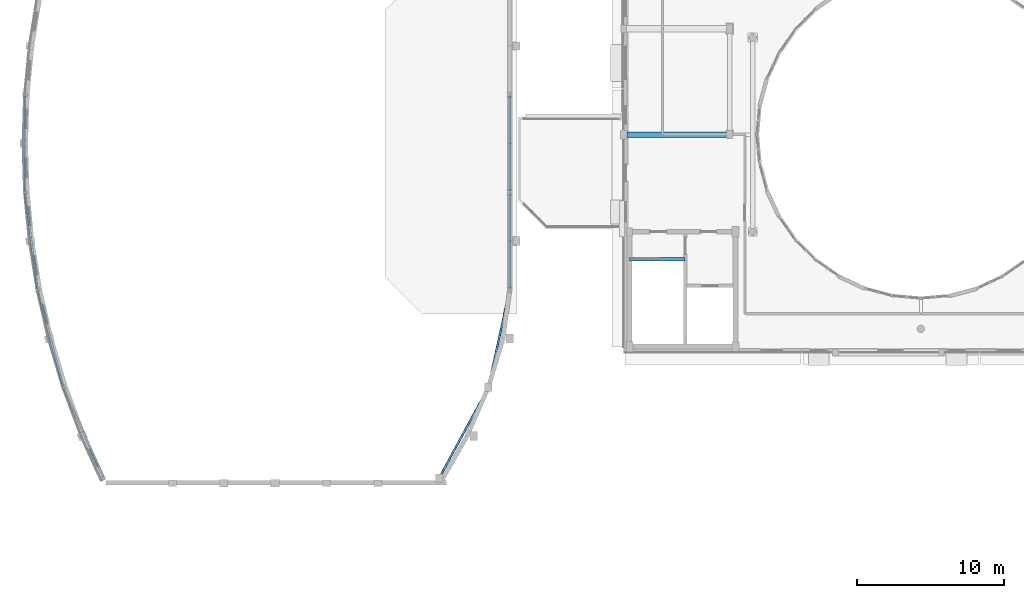
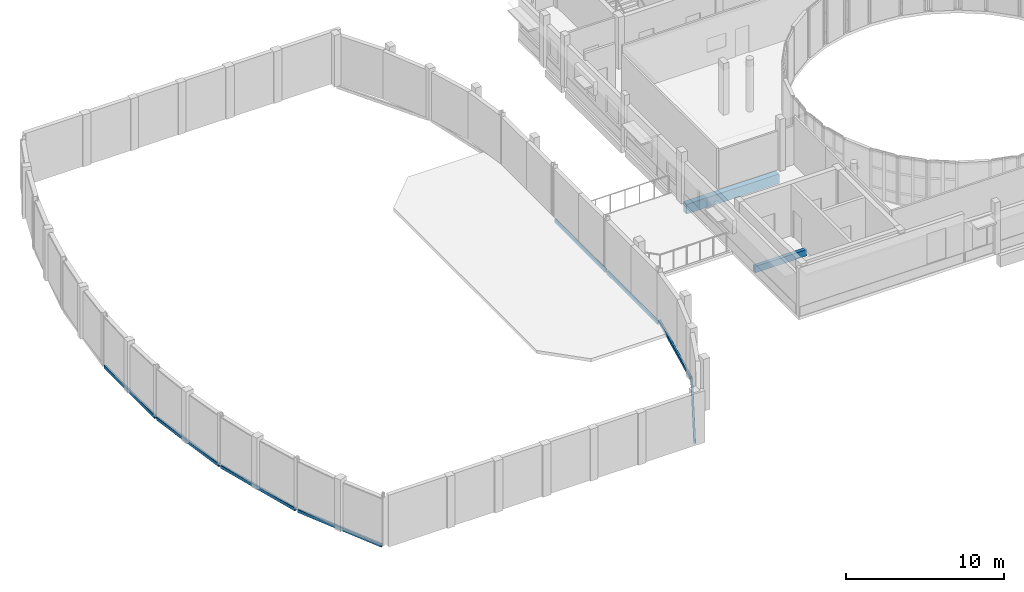
# One storey, part 15 of 89: 10 beams.
"""IFC4 building model written with IfcOpenShell, lengths in metres."""

from ifc_helpers import new_model, si_unit, direction, frame, origin, origin_2d, place, context, subcontext, project, spatial, rectangle, hollow_rectangle, extrude, material, material_profile, profile_set, type_object, element, save


model = new_model("IFC4")

# Units and contexts
model_context = context("Model", 3, precision=1e-05, world=origin(), true_north=direction((0.0, 1.0)))
body_context = subcontext(model_context, "Body", "Model", "MODEL_VIEW")
ifc_project = project(units=[si_unit("LENGTHUNIT", "METRE"), si_unit("AREAUNIT", "SQUARE_METRE"), si_unit("VOLUMEUNIT", "CUBIC_METRE"), si_unit("PLANEANGLEUNIT", "RADIAN"), si_unit("MASSUNIT", "GRAM", prefix="KILO")], contexts=[model_context])

# Site, building, storey
site_placement = place(None, origin())
site = spatial("IfcSite", under=ifc_project, at=site_placement, CompositionType="ELEMENT")
building_placement = place(site_placement, origin())
building = spatial("IfcBuilding", under=site, at=building_placement, Name="Kelanivale Promenade Academy", CompositionType="ELEMENT")
storey_placement = place(building_placement, frame((0.0, 0.0, 12.199951171875)))
storey = spatial("IfcBuildingStorey", under=building, at=storey_placement, Name="L03", CompositionType="ELEMENT", Elevation=12.199951171875)

# Beams
ifc_material_1 = material(Name="Concrete C35/45", Category="concrete")
ifc_material_profile_1 = material_profile(ifc_material_1, rectangle(XDim=0.39990234375, YDim=0.75, at=origin_2d()), Name="RC-BM 400x750")
ifc_profile_set_1 = profile_set([ifc_material_profile_1], Name="Concrete C35/45")
beam_type_1 = type_object("IfcBeamType", Name="BM-13 RC-BM 400x750", PredefinedType="BEAM", material=ifc_profile_set_1)
beam_1_placement = place(storey_placement, frame((43.419921875, 56.800048828125, -0.594970703125), z_axis=(1.0, 0.0, 0.0), x_axis=(0.0, 1.0, 0.0)))
element("IfcBeam", 1, at=beam_1_placement, inside=storey, type_object=beam_type_1, Name="L03 girder BM-13", PredefinedType="BEAM", context=body_context, shape_type="SweptSolid", body=[
    extrude(rectangle(XDim=0.39990234375, YDim=0.75, at=origin_2d()), origin(), (0.0, 0.0, 1.0), 6.78515625),
])
ifc_material_profile_2 = material_profile(ifc_material_1, rectangle(XDim=0.25, YDim=0.5, at=origin_2d()), Name="RC-BM 250x500")
ifc_profile_set_2 = profile_set([ifc_material_profile_2], Name="Concrete C35/45")
beam_type_2 = type_object("IfcBeamType", Name="LN-02 RC-BM 250x500", PredefinedType="LINTEL", material=ifc_profile_set_2)
beam_2_placement = place(storey_placement, frame((43.60009765625, 48.344970703125, -0.25), z_axis=(1.0, 0.0, 0.0), x_axis=(0.0, 1.0, 0.0)))
element("IfcBeam", 2, at=beam_2_placement, inside=storey, type_object=beam_type_2, Name="CORE-6 stair arrival trimmer beam L03", PredefinedType="LINTEL", context=body_context, shape_type="SweptSolid", body=[
    extrude(rectangle(XDim=0.25, YDim=0.5, at=origin_2d()), origin(), (0.0, 0.0, 1.0), 3.77490234375),
])
ifc_material_2 = material(Name="Steel S355", Category="steel")
ifc_material_profile_3 = material_profile(ifc_material_2, hollow_rectangle(XDim=0.14990234375, YDim=0.25, WallThickness=0.010009765625, InnerFilletRadius=0.010009765625, OuterFilletRadius=0.02001953125, at=origin_2d()), Name="RHS 250x150x10.0")
ifc_profile_set_3 = profile_set([ifc_material_profile_3], Name="Steel S355")
beam_type_3 = type_object("IfcBeamType", Name="SB-13 RHS 250x150x10.0", PredefinedType="SPANDREL", material=ifc_profile_set_3)
beam_3_placement = place(storey_placement, frame((7.821044921875, 33.541015625, -0.125), z_axis=(-0.406593934051, 0.913608982439, 0.0), x_axis=(-0.913608982439, -0.406593934051, 0.0)))
element("IfcBeam", 3, at=beam_3_placement, inside=storey, type_object=beam_type_3, Name="Sports Hall Crescent Pavilion curved ring beam SB-13", PredefinedType="SPANDREL", context=body_context, shape_type="SweptSolid", body=[
    extrude(hollow_rectangle(XDim=0.14990234375, YDim=0.25, WallThickness=0.010009765625, InnerFilletRadius=0.010009765625, OuterFilletRadius=0.02001953125, at=origin_2d()), origin(), (0.0, 0.0, 1.0), 6.564208984375),
])
beam_4_placement = place(storey_placement, frame((30.697998046875, 33.5380859375, -0.125), z_axis=(0.476545748285, 0.879149674283, 0.0), x_axis=(-0.879149674283, 0.476545748285, 0.0)))
element("IfcBeam", 4, at=beam_4_placement, inside=storey, type_object=beam_type_3, Name="Sports Hall Crescent Pavilion inner kidney ring beam SB-13", PredefinedType="SPANDREL", context=body_context, shape_type="SweptSolid", body=[
    extrude(hollow_rectangle(XDim=0.14990234375, YDim=0.25, WallThickness=0.010009765625, InnerFilletRadius=0.010009765625, OuterFilletRadius=0.02001953125, at=origin_2d()), origin(), (0.0, 0.0, 1.0), 6.828125),
])
beam_5_placement = place(storey_placement, frame((5.0849609375, 39.72607421875, -0.125), z_axis=(-0.255453887547, 0.966821240632, 0.0), x_axis=(-0.966821240632, -0.255453887547, 0.0)))
element("IfcBeam", 5, at=beam_5_placement, inside=storey, type_object=beam_type_3, Name="Sports Hall Crescent Pavilion curved ring beam SB-13", PredefinedType="SPANDREL", context=body_context, shape_type="SweptSolid", body=[
    extrude(hollow_rectangle(XDim=0.14990234375, YDim=0.25, WallThickness=0.010009765625, InnerFilletRadius=0.010009765625, OuterFilletRadius=0.02001953125, at=origin_2d()), origin(), (0.0, 0.0, 1.0), 6.654541015625),
])
beam_6_placement = place(storey_placement, frame((34.02099609375, 39.72705078125, -0.125), z_axis=(0.213839528573, 0.976868801846, 0.0), x_axis=(-0.976868801846, 0.213839528573, 0.0)))
element("IfcBeam", 6, at=beam_6_placement, inside=storey, type_object=beam_type_3, Name="Sports Hall Crescent Pavilion inner kidney ring beam SB-13", PredefinedType="SPANDREL", context=body_context, shape_type="SweptSolid", body=[
    extrude(hollow_rectangle(XDim=0.14990234375, YDim=0.25, WallThickness=0.010009765625, InnerFilletRadius=0.010009765625, OuterFilletRadius=0.02001953125, at=origin_2d()), origin(), (0.0, 0.0, 1.0), 6.584228515625),
])
beam_7_placement = place(storey_placement, frame((3.345947265625, 46.35595703125, -0.125), z_axis=(-0.12752809224, 0.991834958897, 0.0), x_axis=(-0.991834958897, -0.12752809224, 0.0)))
element("IfcBeam", 7, at=beam_7_placement, inside=storey, type_object=beam_type_3, Name="Sports Hall Crescent Pavilion curved ring beam SB-13", PredefinedType="SPANDREL", context=body_context, shape_type="SweptSolid", body=[
    extrude(hollow_rectangle(XDim=0.14990234375, YDim=0.25, WallThickness=0.010009765625, InnerFilletRadius=0.010009765625, OuterFilletRadius=0.02001953125, at=origin_2d()), origin(), (0.0, 0.0, 1.0), 6.484130859375),
])
beam_8_placement = place(storey_placement, frame((35.449951171875, 46.35693359375, -0.364990234375), z_axis=(0.0, 1.0, 0.0), x_axis=(-1.0, 0.0, 0.0)))
element("IfcBeam", 8, at=beam_8_placement, inside=storey, type_object=beam_type_3, Name="Sports Hall Crescent Pavilion inner kidney ring beam SB-13", PredefinedType="SPANDREL", context=body_context, shape_type="SweptSolid", body=[
    extrude(hollow_rectangle(XDim=0.14990234375, YDim=0.25, WallThickness=0.010009765625, InnerFilletRadius=0.010009765625, OuterFilletRadius=0.02001953125, at=origin_2d()), origin(), (0.0, 0.0, 1.0), 6.428955078125),
])
for number, where, z_axis, x_axis, name in (
    (9, (2.506103515625, 52.986083984375, -0.125), (0.0, 1.0, 0.0), (-1.0, 0.0, 0.0), "Sports Hall Crescent Pavilion curved ring beam SB-13"),
    (10, (35.449951171875, 52.986083984375, -0.364990234375), (0.0, 1.0, 0.0), (-1.0, 0.0, 0.0), "Sports Hall Crescent Pavilion inner kidney ring beam SB-13"),
):
    element("IfcBeam", number, at=place(storey_placement, frame(where, z_axis=z_axis, x_axis=x_axis)), inside=storey, type_object=beam_type_3, Name=name, PredefinedType="SPANDREL", context=body_context, shape_type="SweptSolid", body=[
        extrude(hollow_rectangle(XDim=0.14990234375, YDim=0.25, WallThickness=0.010009765625, InnerFilletRadius=0.010009765625, OuterFilletRadius=0.02001953125, at=origin_2d()), origin(), (0.0, 0.0, 1.0), 6.427978515625),
    ])

save(model, "model.ifc")
